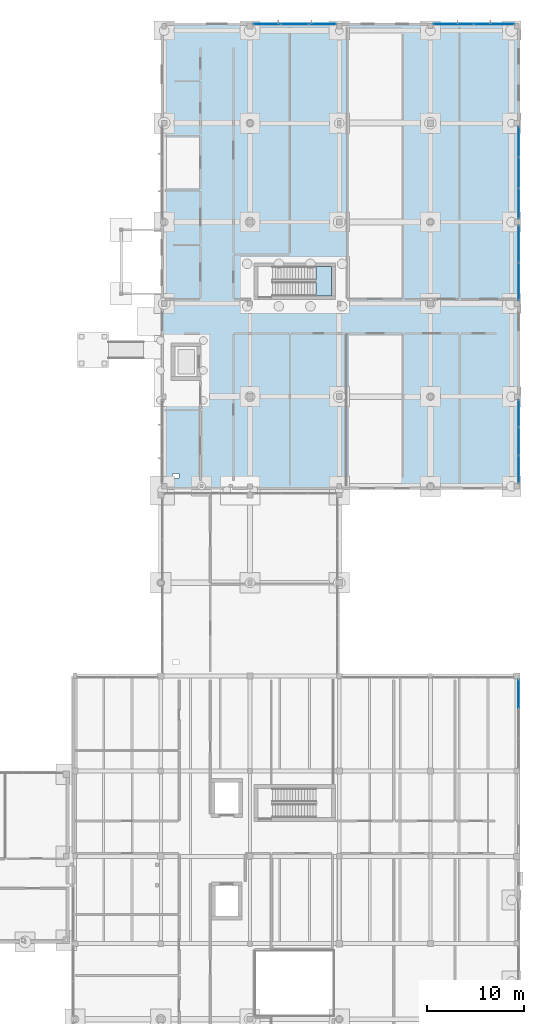
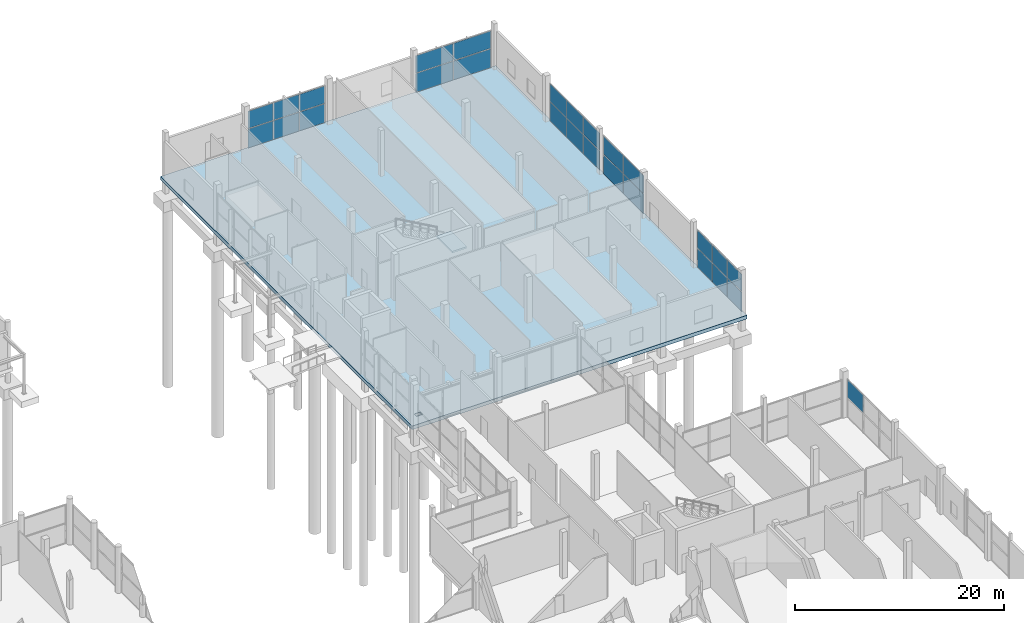
# One storey, part 52 of 88: 27 plates, 2 slabs, 7 elements without a shape of their own.
"""IFC4 building model written with IfcOpenShell, lengths in metres."""

from ifc_helpers import new_model, si_unit, direction, frame, origin, origin_2d, place, context, subcontext, project, spatial, polyline, rectangle, outline, extrude, material, layer, layer_set, type_object, element, aggregate, save


model = new_model("IFC4")

# Units and contexts
model_context = context("Model", 3, precision=1e-05, world=origin(), true_north=direction((0.0, 1.0)))
body_context = subcontext(model_context, "Body", "Model", "MODEL_VIEW")
ifc_project = project(units=[si_unit("LENGTHUNIT", "METRE"), si_unit("AREAUNIT", "SQUARE_METRE"), si_unit("VOLUMEUNIT", "CUBIC_METRE"), si_unit("PLANEANGLEUNIT", "RADIAN"), si_unit("MASSUNIT", "GRAM", prefix="KILO")], contexts=[model_context])

# Site, building, storey
site_placement = place(None, origin())
site = spatial("IfcSite", under=ifc_project, at=site_placement, CompositionType="ELEMENT")
building_placement = place(site_placement, origin())
building = spatial("IfcBuilding", under=site, at=building_placement, Name="Birchvale Park Specialist Clinic", CompositionType="ELEMENT")
storey_placement = place(building_placement, origin())
storey = spatial("IfcBuildingStorey", under=building, at=storey_placement, Name="L00", CompositionType="ELEMENT", Elevation=0.0)

# Curtain wall, plate
ifc_material_1 = material(Name="Thermally broken anodised aluminium", Category="aluminium")
ifc_layer_1 = layer(ifc_material_1, 0.195068359375)
ifc_layer_set_1 = layer_set([ifc_layer_1], Name="Thermally broken anodised aluminium")
curtain_wall_type_1 = type_object("IfcCurtainWallType", Name="CW-U2", PredefinedType="USERDEFINED", material=ifc_layer_set_1)
curtain_wall_1_placement = place(storey_placement, origin())
curtain_wall_1 = element("IfcCurtainWall", 1, at=curtain_wall_1_placement, inside=storey, type_object=curtain_wall_type_1, Name="V5 L00 glazed curtain wall 48", ObjectType="UNITISED", PredefinedType="USERDEFINED")
ifc_material_2 = material(Name="Solar-control low-E double glazing", Category="glass")
ifc_layer_2 = layer(ifc_material_2, 0.031982421875)
ifc_layer_set_2 = layer_set([ifc_layer_2], Name="Solar-control low-E double glazing")
plate_type_1 = type_object("IfcPlateType", Name="CWP2", PredefinedType="CURTAIN_PANEL", material=ifc_layer_set_2)
plate_1_placement = place(storey_placement, frame((164.875, 42.531982421875, 2.35693359375), z_axis=(0.0, 0.0, 1.0), x_axis=(0.0, 1.0, 0.0)))
plate_1 = element("IfcPlate", 2, at=plate_1_placement, type_object=plate_type_1, Name="CW panel 3.2", PredefinedType="CURTAIN_PANEL", context=body_context, shape_type="SweptSolid", body=[
    extrude(rectangle(XDim=2.975830078125, YDim=0.031982421875, at=origin_2d()), origin(), (0.0, 0.0, 1.0), 2.048095703125),
])
aggregate(curtain_wall_1, [plate_1])

# Curtain wall, plates
ifc_layer_3 = layer(ifc_material_1, 0.2099609375)
ifc_layer_set_3 = layer_set([ifc_layer_3], Name="Thermally broken anodised aluminium")
curtain_wall_type_2 = type_object("IfcCurtainWallType", Name="CW-U3", PredefinedType="USERDEFINED", material=ifc_layer_set_3)
curtain_wall_2_placement = place(storey_placement, origin())
curtain_wall_2 = element("IfcCurtainWall", 3, at=curtain_wall_2_placement, inside=storey, type_object=curtain_wall_type_2, Name="V6 L00 glazed curtain wall 61", ObjectType="UNITISED", PredefinedType="USERDEFINED")
ifc_layer_4 = layer(ifc_material_2, 0.035888671875)
ifc_layer_set_4 = layer_set([ifc_layer_4], Name="Solar-control low-E double glazing")
plate_type_2 = type_object("IfcPlateType", Name="CWP3", PredefinedType="CURTAIN_PANEL", material=ifc_layer_set_4)
plate_2_placement = place(storey_placement, frame((164.905029296875, 65.702392578125, 0.06982421875), z_axis=(0.0, 0.0, 1.0), x_axis=(0.0, 1.0, 0.0)))
plate_2 = element("IfcPlate", 4, at=plate_2_placement, type_object=plate_type_2, Name="CW panel 1.1", PredefinedType="CURTAIN_PANEL", context=body_context, shape_type="SweptSolid", body=[
    extrude(rectangle(XDim=2.784912109375, YDim=0.035888671875, at=origin_2d()), origin(), (0.0, 0.0, 1.0), 2.219482421875),
])
plate_3_placement = place(storey_placement, frame((164.905029296875, 65.702392578125, 2.359375), z_axis=(0.0, 0.0, 1.0), x_axis=(0.0, 1.0, 0.0)))
plate_3 = element("IfcPlate", 5, at=plate_3_placement, type_object=plate_type_2, Name="CW panel 1.2", PredefinedType="CURTAIN_PANEL", context=body_context, shape_type="SweptSolid", body=[
    extrude(rectangle(XDim=2.784912109375, YDim=0.035888671875, at=origin_2d()), origin(), (0.0, 0.0, 1.0), 2.04052734375),
])
plate_4_placement = place(storey_placement, frame((164.905029296875, 68.574951171875, 0.06982421875), z_axis=(0.0, 0.0, 1.0), x_axis=(0.0, 1.0, 0.0)))
plate_4 = element("IfcPlate", 6, at=plate_4_placement, type_object=plate_type_2, Name="CW panel 2.1", PredefinedType="CURTAIN_PANEL", context=body_context, shape_type="SweptSolid", body=[
    extrude(rectangle(XDim=2.820068359375, YDim=0.035888671875, at=origin_2d()), origin(), (0.0, 0.0, 1.0), 2.219482421875),
])
plate_5_placement = place(storey_placement, frame((164.905029296875, 68.574951171875, 2.359375), z_axis=(0.0, 0.0, 1.0), x_axis=(0.0, 1.0, 0.0)))
plate_5 = element("IfcPlate", 7, at=plate_5_placement, type_object=plate_type_2, Name="CW panel 2.2", PredefinedType="CURTAIN_PANEL", context=body_context, shape_type="SweptSolid", body=[
    extrude(rectangle(XDim=2.820068359375, YDim=0.035888671875, at=origin_2d()), origin(), (0.0, 0.0, 1.0), 2.04052734375),
])
plate_6_placement = place(storey_placement, frame((164.905029296875, 71.447509765625, 0.06982421875), z_axis=(0.0, 0.0, 1.0), x_axis=(0.0, 1.0, 0.0)))
plate_6 = element("IfcPlate", 8, at=plate_6_placement, type_object=plate_type_2, Name="CW panel 3.1", PredefinedType="CURTAIN_PANEL", context=body_context, shape_type="SweptSolid", body=[
    extrude(rectangle(XDim=2.784912109375, YDim=0.035888671875, at=origin_2d()), origin(), (0.0, 0.0, 1.0), 2.219482421875),
])
plate_7_placement = place(storey_placement, frame((164.905029296875, 71.447509765625, 2.359375), z_axis=(0.0, 0.0, 1.0), x_axis=(0.0, 1.0, 0.0)))
plate_7 = element("IfcPlate", 9, at=plate_7_placement, type_object=plate_type_2, Name="CW panel 3.2", PredefinedType="CURTAIN_PANEL", context=body_context, shape_type="SweptSolid", body=[
    extrude(rectangle(XDim=2.784912109375, YDim=0.035888671875, at=origin_2d()), origin(), (0.0, 0.0, 1.0), 2.04052734375),
])
aggregate(curtain_wall_2, [plate_2, plate_3, plate_4, plate_5, plate_6, plate_7])

curtain_wall_3_placement = place(storey_placement, origin())
curtain_wall_3 = element("IfcCurtainWall", 10, at=curtain_wall_3_placement, inside=storey, type_object=curtain_wall_type_2, Name="V6 L00 glazed curtain wall 62", ObjectType="UNITISED", PredefinedType="USERDEFINED")
plate_8_placement = place(storey_placement, frame((164.905029296875, 85.0625, 0.070068359375), z_axis=(0.0, 0.0, 1.0), x_axis=(0.0, 1.0, 0.0)))
plate_8 = element("IfcPlate", 11, at=plate_8_placement, type_object=plate_type_2, Name="CW panel 1.1", PredefinedType="CURTAIN_PANEL", context=body_context, shape_type="SweptSolid", body=[
    extrude(rectangle(XDim=3.804931640625, YDim=0.035888671875, at=origin_2d()), origin(), (0.0, 0.0, 1.0), 2.271484375),
])
plate_9_placement = place(storey_placement, frame((164.905029296875, 85.0625, 2.41162109375), z_axis=(0.0, 0.0, 1.0), x_axis=(0.0, 1.0, 0.0)))
plate_9 = element("IfcPlate", 12, at=plate_9_placement, type_object=plate_type_2, Name="CW panel 1.2", PredefinedType="CURTAIN_PANEL", context=body_context, shape_type="SweptSolid", body=[
    extrude(rectangle(XDim=3.804931640625, YDim=0.035888671875, at=origin_2d()), origin(), (0.0, 0.0, 1.0), 2.088623046875),
])
plate_10_placement = place(storey_placement, frame((164.905029296875, 88.9375, 0.070068359375), z_axis=(0.0, 0.0, 1.0), x_axis=(0.0, 1.0, 0.0)))
plate_10 = element("IfcPlate", 13, at=plate_10_placement, type_object=plate_type_2, Name="CW panel 2.1", PredefinedType="CURTAIN_PANEL", context=body_context, shape_type="SweptSolid", body=[
    extrude(rectangle(XDim=3.804931640625, YDim=0.035888671875, at=origin_2d()), origin(), (0.0, 0.0, 1.0), 2.271484375),
])
plate_11_placement = place(storey_placement, frame((164.905029296875, 88.9375, 2.41162109375), z_axis=(0.0, 0.0, 1.0), x_axis=(0.0, 1.0, 0.0)))
plate_11 = element("IfcPlate", 14, at=plate_11_placement, type_object=plate_type_2, Name="CW panel 2.2", PredefinedType="CURTAIN_PANEL", context=body_context, shape_type="SweptSolid", body=[
    extrude(rectangle(XDim=3.804931640625, YDim=0.035888671875, at=origin_2d()), origin(), (0.0, 0.0, 1.0), 2.088623046875),
])
aggregate(curtain_wall_3, [plate_8, plate_9, plate_10, plate_11])

curtain_wall_4_placement = place(storey_placement, origin())
curtain_wall_4 = element("IfcCurtainWall", 15, at=curtain_wall_4_placement, inside=storey, type_object=curtain_wall_type_2, Name="V6 L00 glazed curtain wall 63", ObjectType="UNITISED", PredefinedType="USERDEFINED")
plate_12_placement = place(storey_placement, frame((164.905029296875, 93.11083984375, 0.06982421875), z_axis=(0.0, 0.0, 1.0), x_axis=(0.0, 1.0, 0.0)))
plate_12 = element("IfcPlate", 16, at=plate_12_placement, type_object=plate_type_2, Name="CW panel 1.1", PredefinedType="CURTAIN_PANEL", context=body_context, shape_type="SweptSolid", body=[
    extrude(rectangle(XDim=3.1015625, YDim=0.035888671875, at=origin_2d()), origin(), (0.0, 0.0, 1.0), 2.219482421875),
])
plate_13_placement = place(storey_placement, frame((164.905029296875, 93.11083984375, 2.359375), z_axis=(0.0, 0.0, 1.0), x_axis=(0.0, 1.0, 0.0)))
plate_13 = element("IfcPlate", 17, at=plate_13_placement, type_object=plate_type_2, Name="CW panel 1.2", PredefinedType="CURTAIN_PANEL", context=body_context, shape_type="SweptSolid", body=[
    extrude(rectangle(XDim=3.1015625, YDim=0.035888671875, at=origin_2d()), origin(), (0.0, 0.0, 1.0), 2.04052734375),
])
plate_14_placement = place(storey_placement, frame((164.905029296875, 96.300048828125, 0.06982421875), z_axis=(0.0, 0.0, 1.0), x_axis=(0.0, 1.0, 0.0)))
plate_14 = element("IfcPlate", 18, at=plate_14_placement, type_object=plate_type_2, Name="CW panel 2.1", PredefinedType="CURTAIN_PANEL", context=body_context, shape_type="SweptSolid", body=[
    extrude(rectangle(XDim=3.13671875, YDim=0.035888671875, at=origin_2d()), origin(), (0.0, 0.0, 1.0), 2.219482421875),
])
plate_15_placement = place(storey_placement, frame((164.905029296875, 96.300048828125, 2.359375), z_axis=(0.0, 0.0, 1.0), x_axis=(0.0, 1.0, 0.0)))
plate_15 = element("IfcPlate", 19, at=plate_15_placement, type_object=plate_type_2, Name="CW panel 2.2", PredefinedType="CURTAIN_PANEL", context=body_context, shape_type="SweptSolid", body=[
    extrude(rectangle(XDim=3.13671875, YDim=0.035888671875, at=origin_2d()), origin(), (0.0, 0.0, 1.0), 2.04052734375),
])
plate_16_placement = place(storey_placement, frame((164.905029296875, 99.4892578125, 0.06982421875), z_axis=(0.0, 0.0, 1.0), x_axis=(0.0, 1.0, 0.0)))
plate_16 = element("IfcPlate", 20, at=plate_16_placement, type_object=plate_type_2, Name="CW panel 3.1", PredefinedType="CURTAIN_PANEL", context=body_context, shape_type="SweptSolid", body=[
    extrude(rectangle(XDim=3.1015625, YDim=0.035888671875, at=origin_2d()), origin(), (0.0, 0.0, 1.0), 2.219482421875),
])
plate_17_placement = place(storey_placement, frame((164.905029296875, 99.4892578125, 2.359375), z_axis=(0.0, 0.0, 1.0), x_axis=(0.0, 1.0, 0.0)))
plate_17 = element("IfcPlate", 21, at=plate_17_placement, type_object=plate_type_2, Name="CW panel 3.2", PredefinedType="CURTAIN_PANEL", context=body_context, shape_type="SweptSolid", body=[
    extrude(rectangle(XDim=3.1015625, YDim=0.035888671875, at=origin_2d()), origin(), (0.0, 0.0, 1.0), 2.04052734375),
])
aggregate(curtain_wall_4, [plate_12, plate_13, plate_14, plate_15, plate_16, plate_17])

curtain_wall_5_placement = place(storey_placement, origin())
curtain_wall_5 = element("IfcCurtainWall", 22, at=curtain_wall_5_placement, inside=storey, type_object=curtain_wall_type_2, Name="V6 L00 glazed curtain wall 64", ObjectType="UNITISED", PredefinedType="USERDEFINED")
plate_18_placement = place(storey_placement, frame((162.3662109375, 111.60498046875, 0.070068359375), z_axis=(0.0, 0.0, 1.0), x_axis=(-1.0, 0.0, 0.0)))
plate_18 = element("IfcPlate", 23, at=plate_18_placement, type_object=plate_type_2, Name="CW panel 1.1", PredefinedType="CURTAIN_PANEL", context=body_context, shape_type="SweptSolid", body=[
    extrude(rectangle(XDim=4.107421875, YDim=0.035888671875, at=origin_2d()), origin(), (0.0, 0.0, 1.0), 2.193359375),
])
plate_19_placement = place(storey_placement, frame((162.3662109375, 111.60498046875, 2.33349609375), z_axis=(0.0, 0.0, 1.0), x_axis=(-1.0, 0.0, 0.0)))
plate_19 = element("IfcPlate", 24, at=plate_19_placement, type_object=plate_type_2, Name="CW panel 1.2", PredefinedType="CURTAIN_PANEL", context=body_context, shape_type="SweptSolid", body=[
    extrude(rectangle(XDim=4.107421875, YDim=0.035888671875, at=origin_2d()), origin(), (0.0, 0.0, 1.0), 2.0166015625),
])
plate_20_placement = place(storey_placement, frame((158.188720703125, 111.60498046875, 0.070068359375), z_axis=(0.0, 0.0, 1.0), x_axis=(-1.0, 0.0, 0.0)))
plate_20 = element("IfcPlate", 25, at=plate_20_placement, type_object=plate_type_2, Name="CW panel 2.1", PredefinedType="CURTAIN_PANEL", context=body_context, shape_type="SweptSolid", body=[
    extrude(rectangle(XDim=4.107421875, YDim=0.035888671875, at=origin_2d()), origin(), (0.0, 0.0, 1.0), 2.193359375),
])
plate_21_placement = place(storey_placement, frame((158.188720703125, 111.60498046875, 2.33349609375), z_axis=(0.0, 0.0, 1.0), x_axis=(-1.0, 0.0, 0.0)))
plate_21 = element("IfcPlate", 26, at=plate_21_placement, type_object=plate_type_2, Name="CW panel 2.2", PredefinedType="CURTAIN_PANEL", context=body_context, shape_type="SweptSolid", body=[
    extrude(rectangle(XDim=4.107421875, YDim=0.035888671875, at=origin_2d()), origin(), (0.0, 0.0, 1.0), 2.0166015625),
])
aggregate(curtain_wall_5, [plate_18, plate_19, plate_20, plate_21])

curtain_wall_6_placement = place(storey_placement, origin())
curtain_wall_6 = element("IfcCurtainWall", 27, at=curtain_wall_6_placement, inside=storey, type_object=curtain_wall_type_2, Name="V6 L00 glazed curtain wall 65", ObjectType="UNITISED", PredefinedType="USERDEFINED")
plate_22_placement = place(storey_placement, frame((144.659912109375, 111.60498046875, 0.070068359375), z_axis=(0.0, 0.0, 1.0), x_axis=(-1.0, 0.0, 0.0)))
plate_22 = element("IfcPlate", 28, at=plate_22_placement, type_object=plate_type_2, Name="CW panel 1.1", PredefinedType="CURTAIN_PANEL", context=body_context, shape_type="SweptSolid", body=[
    extrude(rectangle(XDim=2.760009765625, YDim=0.035888671875, at=origin_2d()), origin(), (0.0, 0.0, 1.0), 2.193359375),
])
plate_23_placement = place(storey_placement, frame((144.659912109375, 111.60498046875, 2.33349609375), z_axis=(0.0, 0.0, 1.0), x_axis=(-1.0, 0.0, 0.0)))
plate_23 = element("IfcPlate", 29, at=plate_23_placement, type_object=plate_type_2, Name="CW panel 1.2", PredefinedType="CURTAIN_PANEL", context=body_context, shape_type="SweptSolid", body=[
    extrude(rectangle(XDim=2.760009765625, YDim=0.035888671875, at=origin_2d()), origin(), (0.0, 0.0, 1.0), 2.0166015625),
])
plate_24_placement = place(storey_placement, frame((141.8125, 111.60498046875, 0.070068359375), z_axis=(0.0, 0.0, 1.0), x_axis=(-1.0, 0.0, 0.0)))
plate_24 = element("IfcPlate", 30, at=plate_24_placement, type_object=plate_type_2, Name="CW panel 2.1", PredefinedType="CURTAIN_PANEL", context=body_context, shape_type="SweptSolid", body=[
    extrude(rectangle(XDim=2.794921875, YDim=0.035888671875, at=origin_2d()), origin(), (0.0, 0.0, 1.0), 2.193359375),
])
plate_25_placement = place(storey_placement, frame((141.8125, 111.60498046875, 2.33349609375), z_axis=(0.0, 0.0, 1.0), x_axis=(-1.0, 0.0, 0.0)))
plate_25 = element("IfcPlate", 31, at=plate_25_placement, type_object=plate_type_2, Name="CW panel 2.2", PredefinedType="CURTAIN_PANEL", context=body_context, shape_type="SweptSolid", body=[
    extrude(rectangle(XDim=2.794921875, YDim=0.035888671875, at=origin_2d()), origin(), (0.0, 0.0, 1.0), 2.0166015625),
])
plate_26_placement = place(storey_placement, frame((138.965087890625, 111.60498046875, 0.070068359375), z_axis=(0.0, 0.0, 1.0), x_axis=(-1.0, 0.0, 0.0)))
plate_26 = element("IfcPlate", 32, at=plate_26_placement, type_object=plate_type_2, Name="CW panel 3.1", PredefinedType="CURTAIN_PANEL", context=body_context, shape_type="SweptSolid", body=[
    extrude(rectangle(XDim=2.760009765625, YDim=0.035888671875, at=origin_2d()), origin(), (0.0, 0.0, 1.0), 2.193359375),
])
plate_27_placement = place(storey_placement, frame((138.965087890625, 111.60498046875, 2.33349609375), z_axis=(0.0, 0.0, 1.0), x_axis=(-1.0, 0.0, 0.0)))
plate_27 = element("IfcPlate", 33, at=plate_27_placement, type_object=plate_type_2, Name="CW panel 3.2", PredefinedType="CURTAIN_PANEL", context=body_context, shape_type="SweptSolid", body=[
    extrude(rectangle(XDim=2.760009765625, YDim=0.035888671875, at=origin_2d()), origin(), (0.0, 0.0, 1.0), 2.0166015625),
])
aggregate(curtain_wall_6, [plate_22, plate_23, plate_24, plate_25, plate_26, plate_27])

# Slab
ifc_material_3 = material(Name="Concrete C35/45", Category="concrete")
ifc_layer_5 = layer(ifc_material_3, 0.419921875)
ifc_layer_set_5 = layer_set([ifc_layer_5], Name="Concrete C35/45")
slab_type_1 = type_object("IfcSlabType", Name="SLB-BS3", PredefinedType="BASESLAB", material=ifc_layer_set_5)
slab_1_placement = place(storey_placement, frame((0.0, 0.0, -0.419921875)))
element("IfcSlab", 34, at=slab_1_placement, inside=storey, type_object=slab_type_1, Name="V6 L00 structural slab 1", PredefinedType="BASESLAB", context=body_context, shape_type="SweptSolid", body=[
    extrude(outline(polyline([(128.0, 63.60009765625), (165.050048828125, 63.60009765625), (165.050048828125, 111.75), (128.0, 111.75), (128.0, 63.60009765625)]), holes=[polyline([(129.199951171875, 64.800048828125), (129.85009765625, 64.800048828125), (129.85009765625, 65.25), (129.199951171875, 65.25), (129.199951171875, 64.800048828125)])]), origin(), (0.0, 0.0, 1.0), 0.419921875),
])

# Stair, slab
stair_type = type_object("IfcStairType", Name="ST-H54", PredefinedType="HALF_TURN_STAIR", material=ifc_material_3)
stair_placement = place(storey_placement, origin())
stair = element("IfcStair", 35, at=stair_placement, inside=storey, type_object=stair_type, Name="L00 Protected exit stair ST3", PredefinedType="HALF_TURN_STAIR")
ifc_layer_6 = layer(ifc_material_3, 0.199951171875)
ifc_layer_set_6 = layer_set([ifc_layer_6], Name="Concrete C35/45")
slab_type_2 = type_object("IfcSlabType", Name="SLB-LND1", PredefinedType="LANDING", material=ifc_layer_set_6)
slab_2_placement = place(storey_placement, frame((0.0, 0.0, 2.5)))
slab_2 = element("IfcSlab", 36, at=slab_2_placement, type_object=slab_type_2, Name="ST3 landing 1", PredefinedType="LANDING", context=body_context, shape_type="SweptSolid", body=[
    extrude(outline(polyline([(144.0, 83.60009765625), (145.60009765625, 83.60009765625), (145.60009765625, 86.60009765625), (144.0, 86.60009765625), (144.0, 83.60009765625)])), origin(), (0.0, 0.0, 1.0), 0.199951171875),
])
aggregate(stair, [slab_2])

save(model, "model.ifc")
